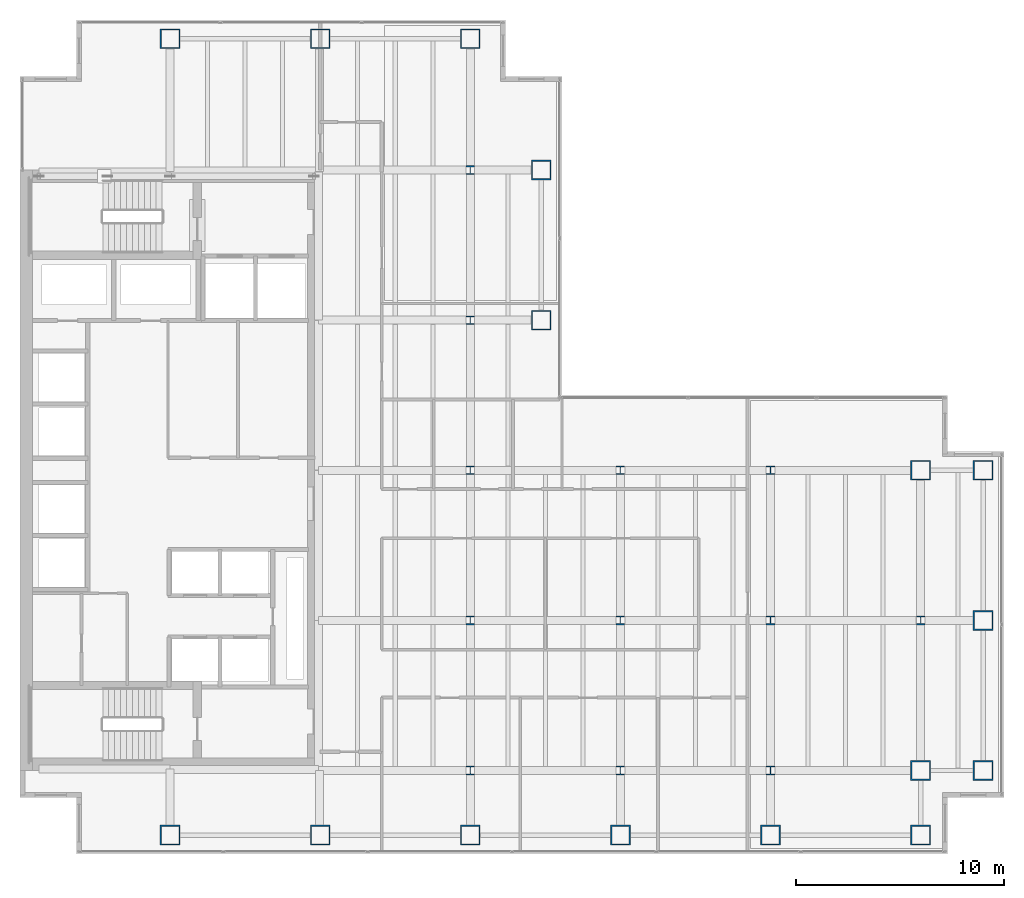
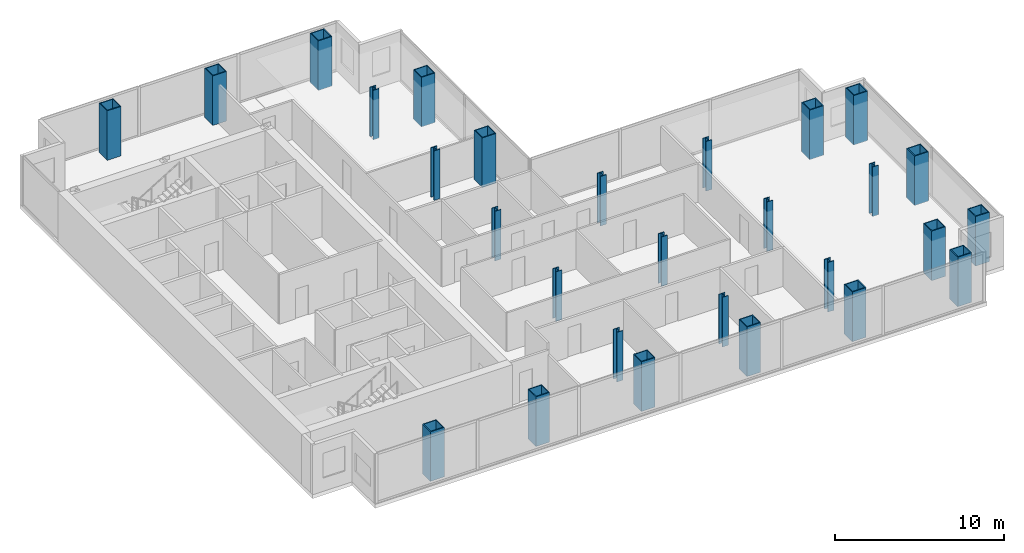
# One storey, part 1 of 24: 28 columns.
"""IFC4 building model written with IfcOpenShell, lengths in metres."""

from ifc_helpers import new_model, si_unit, direction, frame, origin, origin_2d, place, context, subcontext, project, spatial, hollow_rectangle, i_section, extrude, material, material_profile, profile_set, type_object, element, save


model = new_model("IFC4")

# Units and contexts
model_context = context("Model", 3, precision=1e-05, world=origin(), true_north=direction((0.0, 1.0)))
body_context = subcontext(model_context, "Body", "Model", "MODEL_VIEW")
ifc_project = project(units=[si_unit("LENGTHUNIT", "METRE"), si_unit("AREAUNIT", "SQUARE_METRE"), si_unit("VOLUMEUNIT", "CUBIC_METRE"), si_unit("PLANEANGLEUNIT", "RADIAN"), si_unit("MASSUNIT", "GRAM", prefix="KILO")], contexts=[model_context])

# Site, building, storey
site_placement = place(None, origin())
site = spatial("IfcSite", under=ifc_project, at=site_placement, CompositionType="ELEMENT")
building_placement = place(site_placement, origin())
building = spatial("IfcBuilding", under=site, at=building_placement, Name="Cobrela Telecom Tower", CompositionType="ELEMENT")
storey_placement = place(building_placement, frame((0.0, 0.0, 106.050048828125)))
storey = spatial("IfcBuildingStorey", under=building, at=storey_placement, Name="L26", CompositionType="ELEMENT", Elevation=106.050048828125)

# Columns
ifc_material_1 = material(Name="Steel ASTM A992 Grade 50", Category="steel")
ifc_material_profile_1 = material_profile(ifc_material_1, i_section(OverallWidth=0.408935546875, OverallDepth=0.424072265625, WebThickness=0.03271484375, FlangeThickness=0.052490234375, FilletRadius=0.01806640625, at=origin_2d()), Name="W14X283")
ifc_profile_set_1 = profile_set([ifc_material_profile_1], Name="Steel ASTM A992 Grade 50")
column_type_1 = type_object("IfcColumnType", Name="COL-INT-05", PredefinedType="COLUMN", material=ifc_profile_set_1)
for number, where, z_axis, x_axis, name in (
    (1, (21.60009765625, 7.199951171875, 0.0), (0.0, 0.0, 1.0), (1.0, 0.0, 0.0), "L26 Interior Column 06"),
    (2, (21.60009765625, 14.39990234375, 0.0), (0.0, 0.0, 1.0), (1.0, 0.0, 0.0), "L26 Interior Column 07"),
    (3, (21.60009765625, 21.60009765625, 0.0), (0.0, 0.0, 1.0), (1.0, 0.0, 0.0), "L26 Interior Column 08"),
    (4, (21.60009765625, 28.800048828125, 0.0), (0.0, 0.0, 1.0), (1.0, 0.0, 0.0), "L26 Interior Column 09"),
    (5, (21.60009765625, 36.0, 0.0), (0.0, 0.0, 1.0), (1.0, 0.0, 0.0), "L26 Interior Column 10"),
    (6, (28.800048828125, 7.199951171875, 0.0), (0.0, 0.0, 1.0), (1.0, 0.0, 0.0), "L26 Interior Column 15"),
    (7, (28.800048828125, 14.39990234375, 0.0), (0.0, 0.0, 1.0), (1.0, 0.0, 0.0), "L26 Interior Column 16"),
    (8, (28.800048828125, 21.60009765625, 0.0), (0.0, 0.0, 1.0), (1.0, 0.0, 0.0), "L26 Interior Column 17"),
    (9, (36.0, 7.199951171875, 0.0), (0.0, 0.0, 1.0), (1.0, 0.0, 0.0), "L26 Interior Column 19"),
    (10, (36.0, 14.39990234375, 0.0), (0.0, 0.0, 1.0), (1.0, 0.0, 0.0), "L26 Interior Column 20"),
    (11, (36.0, 21.60009765625, 0.0), (0.0, 0.0, 1.0), (1.0, 0.0, 0.0), "L26 Interior Column 21"),
    (12, (43.199951171875, 14.39990234375, 0.0), (0.0, 0.0, 1.0), (1.0, 0.0, 0.0), "L26 Interior Column 24"),
):
    element("IfcColumn", number, at=place(storey_placement, frame(where, z_axis=z_axis, x_axis=x_axis)), inside=storey, type_object=column_type_1, Name=name, PredefinedType="COLUMN", context=body_context, shape_type="SweptSolid", body=[
        extrude(i_section(OverallWidth=0.408935546875, OverallDepth=0.424072265625, WebThickness=0.03271484375, FlangeThickness=0.052490234375, FilletRadius=0.01806640625, at=origin_2d()), origin(), (0.0, 0.0, 1.0), 3.579833984375),
    ])
ifc_material_2 = material(Name="Steel ASTM A572 Grade 50", Category="steel")
ifc_material_profile_2 = material_profile(ifc_material_2, hollow_rectangle(XDim=0.949951171875, YDim=0.949951171875, WallThickness=0.06005859375, at=origin_2d()), Name="BOX 950x950x60")
ifc_profile_set_2 = profile_set([ifc_material_profile_2], Name="Steel ASTM A572 Grade 50")
column_type_2 = type_object("IfcColumnType", Name="COL-MEGA-04", PredefinedType="COLUMN", material=ifc_profile_set_2)
for number, where, z_axis, x_axis, name in (
    (13, (7.199951171875, 4.10009765625, 0.0), (0.0, 0.0, 1.0), (1.0, 0.0, 0.0), "L26 Perimeter Mega-Column 01"),
    (14, (7.199951171875, 42.300048828125, 0.0), (0.0, 0.0, 1.0), (1.0, 0.0, 0.0), "L26 Perimeter Mega-Column 02"),
    (15, (14.39990234375, 4.10009765625, 0.0), (0.0, 0.0, 1.0), (1.0, 0.0, 0.0), "L26 Perimeter Mega-Column 03"),
    (16, (14.39990234375, 42.300048828125, 0.0), (0.0, 0.0, 1.0), (1.0, 0.0, 0.0), "L26 Perimeter Mega-Column 04"),
    (17, (21.60009765625, 4.10009765625, 0.0), (0.0, 0.0, 1.0), (1.0, 0.0, 0.0), "L26 Perimeter Mega-Column 05"),
    (18, (21.60009765625, 42.300048828125, 0.0), (0.0, 0.0, 1.0), (1.0, 0.0, 0.0), "L26 Perimeter Mega-Column 11"),
    (19, (25.0, 28.800048828125, 0.0), (0.0, 0.0, 1.0), (1.0, 0.0, 0.0), "L26 Perimeter Mega-Column 12"),
    (20, (25.0, 36.0, 0.0), (0.0, 0.0, 1.0), (1.0, 0.0, 0.0), "L26 Perimeter Mega-Column 13"),
    (21, (28.800048828125, 4.10009765625, 0.0), (0.0, 0.0, 1.0), (1.0, 0.0, 0.0), "L26 Perimeter Mega-Column 14"),
    (22, (36.0, 4.10009765625, 0.0), (0.0, 0.0, 1.0), (1.0, 0.0, 0.0), "L26 Perimeter Mega-Column 18"),
    (23, (43.199951171875, 4.10009765625, 0.0), (0.0, 0.0, 1.0), (1.0, 0.0, 0.0), "L26 Perimeter Mega-Column 22"),
    (24, (43.199951171875, 7.199951171875, 0.0), (0.0, 0.0, 1.0), (1.0, 0.0, 0.0), "L26 Perimeter Mega-Column 23"),
    (25, (43.199951171875, 21.60009765625, 0.0), (0.0, 0.0, 1.0), (1.0, 0.0, 0.0), "L26 Perimeter Mega-Column 25"),
    (26, (46.199951171875, 7.199951171875, 0.0), (0.0, 0.0, 1.0), (1.0, 0.0, 0.0), "L26 Perimeter Mega-Column 26"),
    (27, (46.199951171875, 14.39990234375, 0.0), (0.0, 0.0, 1.0), (1.0, 0.0, 0.0), "L26 Perimeter Mega-Column 27"),
    (28, (46.199951171875, 21.60009765625, 0.0), (0.0, 0.0, 1.0), (1.0, 0.0, 0.0), "L26 Perimeter Mega-Column 28"),
):
    element("IfcColumn", number, at=place(storey_placement, frame(where, z_axis=z_axis, x_axis=x_axis)), inside=storey, type_object=column_type_2, Name=name, PredefinedType="COLUMN", context=body_context, shape_type="SweptSolid", body=[
        extrude(hollow_rectangle(XDim=0.949951171875, YDim=0.949951171875, WallThickness=0.06005859375, at=origin_2d()), origin(), (0.0, 0.0, 1.0), 3.579833984375),
    ])

save(model, "model.ifc")
